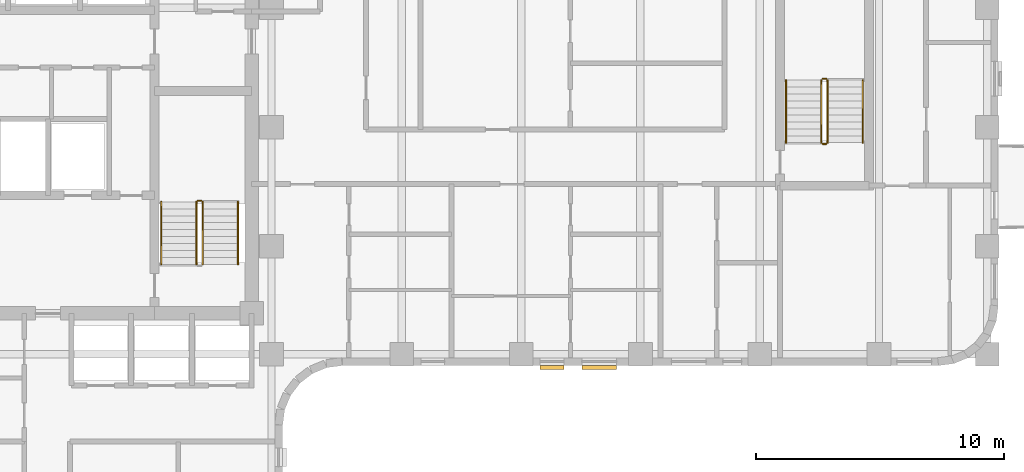
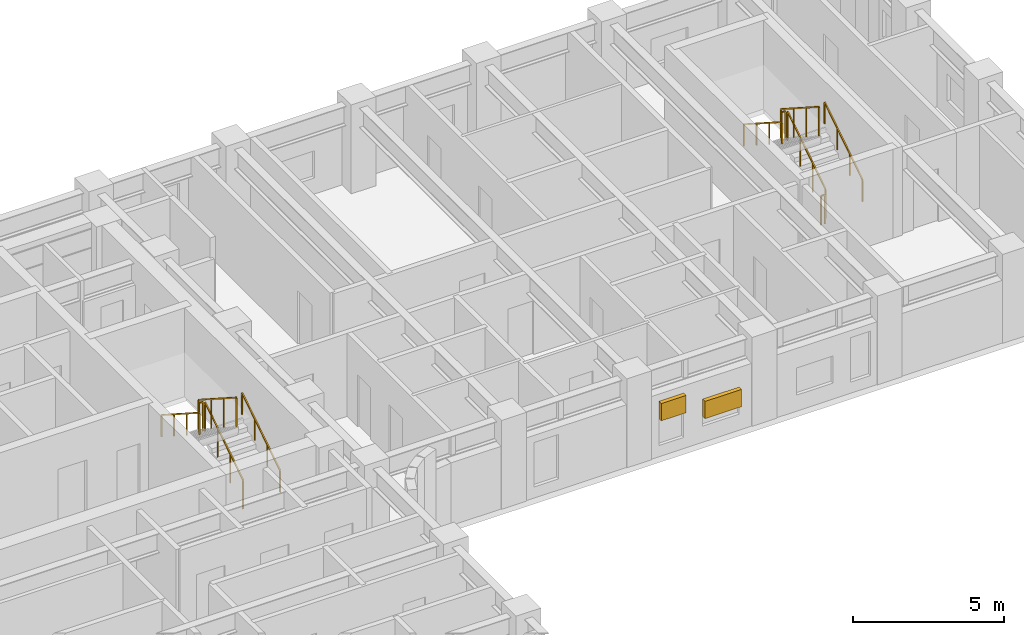
# One storey, part 9 of 10: 11 railings, 2 shading devices.
"""IFC4 building model written with IfcOpenShell, lengths in metres."""

import ifcopenshell
import ifcopenshell.guid

model = None  # the IFC model being written
_history = None  # IfcOwnerHistory: only IFC2X3 demands one
_inside = {}  # id of a spatial element -> (the spatial element, [elements in it])
_under = {}  # id of a project, library or spatial element -> (it, [spatial elements below it])
_declared = {}  # id of a project -> (the project, [libraries it declares])
_typed = {}  # id of a type object -> (the type object, [elements of that type])
_made_of = {}  # id of a material, layer set ... -> (it, [elements and type objects made of it])


def new_model(schema):
    """Start an empty IFC model of exactly this schema.

    Asked for "IFC4X3", IfcOpenShell would pick the latest addendum, in which some entities
    have other attributes; the version numbers below select the first issue.
    IFC2X3 requires an IfcOwnerHistory on every rooted entity: one is made here for all.
    """
    global model, _history
    if schema == "IFC4X3":
        model = ifcopenshell.file(schema_version=(4, 3, 0, 0))
    else:
        model = ifcopenshell.file(schema=schema)
    _inside.clear()
    _under.clear()
    _declared.clear()
    _typed.clear()
    _made_of.clear()
    _history = None
    if model.schema == "IFC2X3":
        org = make("IfcOrganization", Name="unknown")
        user = make(
            "IfcPersonAndOrganization",
            ThePerson=make("IfcPerson", FamilyName="unknown"),
            TheOrganization=org,
        )
        app = make(
            "IfcApplication",
            ApplicationDeveloper=org,
            Version="unknown",
            ApplicationFullName="unknown",
            ApplicationIdentifier="unknown",
        )
        _history = make(
            "IfcOwnerHistory",
            OwningUser=user,
            OwningApplication=app,
            ChangeAction="ADDED",
            CreationDate=0,
        )
    return model


def make(cls, **values):
    """One entity of the class cls with the attributes given. An attribute that is None is left unset."""
    return model.create_entity(
        cls, **{name: value for name, value in values.items() if value is not None}
    )


def rooted(cls, **values):
    """An entity with a GlobalId (a new one), such as an element, a storey or a relation."""
    return make(cls, GlobalId=ifcopenshell.guid.new(), OwnerHistory=_history, **values)


def si_unit(unit_type, name, prefix=None):
    """IfcSIUnit, for example si_unit("LENGTHUNIT", "METRE", prefix="MILLI")."""
    return make("IfcSIUnit", UnitType=unit_type, Prefix=prefix, Name=name)


def assignment(units):
    """IfcUnitAssignment: the units of a project."""
    return None if units is None else make("IfcUnitAssignment", Units=units)


def point(xyz):
    """IfcCartesianPoint."""
    return None if xyz is None else make("IfcCartesianPoint", Coordinates=xyz)


def direction(xyz):
    """IfcDirection."""
    return None if xyz is None else make("IfcDirection", DirectionRatios=xyz)


def frame(location, z_axis=None, x_axis=None):
    """IfcAxis2Placement3D, a coordinate frame: its origin and axes. An axis left out is left unset."""
    return make(
        "IfcAxis2Placement3D",
        Location=point(location),
        Axis=direction(z_axis),
        RefDirection=direction(x_axis),
    )


def frame_2d(location, x_axis=None):
    """IfcAxis2Placement2D, a coordinate frame in the plane: its origin and x axis."""
    return make(
        "IfcAxis2Placement2D", Location=point(location), RefDirection=direction(x_axis)
    )


def origin():
    """The frame at (0, 0, 0) with its axes left unset."""
    return frame((0.0, 0.0, 0.0))


def origin_2d():
    """The frame at (0, 0) in the plane with its x axis left unset."""
    return frame_2d((0.0, 0.0))


def place(relative_to, where):
    """IfcLocalPlacement: puts the frame where relative to a parent placement (None: the world)."""
    return make(
        "IfcLocalPlacement", PlacementRelTo=relative_to, RelativePlacement=where
    )


def context(
    kind, dimensions, precision=None, world=None, true_north=None, identifier=None
):
    """IfcGeometricRepresentationContext, for example the 3D "Model" context."""
    return make(
        "IfcGeometricRepresentationContext",
        ContextIdentifier=identifier,
        ContextType=kind,
        CoordinateSpaceDimension=dimensions,
        Precision=precision,
        WorldCoordinateSystem=world,
        TrueNorth=true_north,
    )


def subcontext(parent, identifier, kind, view, scale=None):
    """IfcGeometricRepresentationSubContext, for example "Body" below "Model"."""
    return make(
        "IfcGeometricRepresentationSubContext",
        ContextIdentifier=identifier,
        ContextType=kind,
        ParentContext=parent,
        TargetScale=scale,
        TargetView=view,
    )


def project(units=None, contexts=None):
    """IfcProject with its units and contexts."""
    return rooted(
        "IfcProject",
        Name="project",
        RepresentationContexts=contexts,
        UnitsInContext=assignment(units),
    )


def spatial(cls, under=None, at=None, **own):
    """A site, building, storey or space (cls), placed at a placement, below another one or the project."""
    s = rooted(cls, ObjectPlacement=at, **own)
    if under is not None:
        _under.setdefault(under.id(), (under, []))[1].append(s)
    return s


def profile(cls, at=None, kind="AREA", **sizes):
    """A parametric profile (cls). Its sizes go by their IFC names, for example OverallWidth=200.0."""
    return make(cls, ProfileType=kind, Position=at, **sizes)


def rectangle(**sizes):
    """IfcRectangleProfileDef."""
    return profile("IfcRectangleProfileDef", **sizes)


def extrude(swept, where, along, depth):
    """IfcExtrudedAreaSolid: the profile swept, set in the frame where, extruded along a direction by depth."""
    return make(
        "IfcExtrudedAreaSolid",
        SweptArea=swept,
        Position=where,
        ExtrudedDirection=direction(along),
        Depth=depth,
    )


def shape(context_of_items, identifier, shape_type, items):
    """IfcShapeRepresentation: the items that make up one representation, for example the "Body"."""
    return make(
        "IfcShapeRepresentation",
        ContextOfItems=context_of_items,
        RepresentationIdentifier=identifier,
        RepresentationType=shape_type,
        Items=items,
    )


def material(Name=None, Category=None):
    """IfcMaterial."""
    return make("IfcMaterial", Name=Name, Category=Category)


def made_of(thing, what):
    """Note that an element or type object is made of a material, layer set ...; save() writes the relation."""
    if what is not None:
        _made_of.setdefault(what.id(), (what, []))[1].append(thing)
    return thing


def type_object(cls, material=None, **own):
    """A type object (cls), such as IfcWallType, which elements share."""
    return made_of(rooted(cls, **own), material)


def element(
    cls,
    number,
    at=None,
    inside=None,
    cuts=None,
    type_object=None,
    material=None,
    context=None,
    identifier="Body",
    shape_type=None,
    held_by="IfcProductDefinitionShape",
    body=None,
    shapes=None,
    **own,
):
    """One element of the class cls, such as IfcWall. Its Tag is "e" and its number.

    at: its placement. inside: the storey or other place that contains it. cuts: it is an
    opening in that element (IfcRelVoidsElement). A single representation is given by context,
    identifier, shape_type and body (its items); several are given by shapes. held_by: the class
    of the entity that holds the representations. save() writes the other relations.
    """
    e = rooted(cls, Tag="e%d" % number, ObjectPlacement=at, **own)
    if body is not None:
        shapes = [shape(context, identifier, shape_type, body)]
    if shapes is not None:
        e.Representation = make(held_by, Representations=shapes)
    if inside is not None:
        _inside.setdefault(inside.id(), (inside, []))[1].append(e)
    if cuts is not None:
        rooted(
            "IfcRelVoidsElement", RelatingBuildingElement=cuts, RelatedOpeningElement=e
        )
    if type_object is not None:
        _typed.setdefault(type_object.id(), (type_object, []))[1].append(e)
    return made_of(e, material)


def aggregate(whole, parts):
    """IfcRelAggregates: a whole, such as a stair, and the parts it consists of."""
    return rooted("IfcRelAggregates", RelatingObject=whole, RelatedObjects=parts)


def save(model, path):
    """Write the relations noted so far, then the file.

    IfcRelAggregates (storeys below a building ...), IfcRelContainedInSpatialStructure (elements
    in a storey), IfcRelDefinesByType, IfcRelAssociatesMaterial and IfcRelDeclares: one each for
    every whole, place, type object, material and project.
    """
    for whole, parts in _under.values():
        aggregate(whole, parts)
    for where, things in _inside.values():
        rooted(
            "IfcRelContainedInSpatialStructure",
            RelatedElements=things,
            RelatingStructure=where,
        )
    for kind, things in _typed.values():
        rooted("IfcRelDefinesByType", RelatedObjects=things, RelatingType=kind)
    for what, things in _made_of.values():
        rooted("IfcRelAssociatesMaterial", RelatedObjects=things, RelatingMaterial=what)
    for by, libraries in _declared.values():
        rooted("IfcRelDeclares", RelatingContext=by, RelatedDefinitions=libraries)
    model.write(path)


model = new_model("IFC4")

# Units and contexts
model_context = context("Model", 3, precision=1e-05, world=origin(), true_north=direction((0.0, 1.0)))
body_context = subcontext(model_context, "Body", "Model", "MODEL_VIEW")
ifc_project = project(units=[si_unit("LENGTHUNIT", "METRE"), si_unit("AREAUNIT", "SQUARE_METRE"), si_unit("VOLUMEUNIT", "CUBIC_METRE"), si_unit("PLANEANGLEUNIT", "RADIAN"), si_unit("MASSUNIT", "GRAM", prefix="KILO")], contexts=[model_context])

# Site, building, storey
site_placement = place(None, origin())
site = spatial("IfcSite", under=ifc_project, at=site_placement, CompositionType="ELEMENT")
building_placement = place(site_placement, origin())
building = spatial("IfcBuilding", under=site, at=building_placement, Name="Orvandelia Arch Residences", CompositionType="ELEMENT")
storey_placement = place(building_placement, frame((0.0, 0.0, 114.39990234375)))
storey = spatial("IfcBuildingStorey", under=building, at=storey_placement, Name="L29", CompositionType="ELEMENT", Elevation=114.39990234375)

# Railings
ifc_material_1 = material(Name="Brushed Stainless Steel 304", Category="steel")
railing_type_1 = type_object("IfcRailingType", Name="RL-STAIR-GD1120", PredefinedType="GUARDRAIL", material=ifc_material_1)
railing_1_placement = place(storey_placement, frame((20.780029296875, 32.8701171875, 0.18017578125)))
element("IfcRailing", 1, at=railing_1_placement, inside=storey, type_object=railing_type_1, Name="L29 ST-2 stair guard 1", PredefinedType="GUARDRAIL", context=body_context, shape_type="SweptSolid", body=[
    extrude(rectangle(XDim=0.048095703125, YDim=0.048095703125, at=origin_2d()), frame((0.0, 0.0, 1.17578125), z_axis=(0.0, 0.841175827307, 0.540761710511), x_axis=(-1.0, 0.0, 0.0)), (0.0, 0.0, 1.0), 2.99560546875),
    extrude(rectangle(XDim=0.0419921875, YDim=0.0419921875, at=origin_2d()), origin(), (0.0, 0.0, 1.0), 1.15185546875),
    extrude(rectangle(XDim=0.0419921875, YDim=0.0419921875, at=origin_2d()), frame((0.0, 0.83984375, 0.5400390625)), (0.0, 0.0, 1.0), 1.15185546875),
    extrude(rectangle(XDim=0.0419921875, YDim=0.0419921875, at=origin_2d()), frame((0.0, 1.679931640625, 1.079833984375)), (0.0, 0.0, 1.0), 1.15185546875),
    extrude(rectangle(XDim=0.0419921875, YDim=0.0419921875, at=origin_2d()), frame((0.0, 2.519775390625, 1.619873046875)), (0.0, 0.0, 1.0), 1.15185546875),
])
railing_2_placement = place(storey_placement, frame((20.72998046875, 35.43994140625, 1.800048828125)))
element("IfcRailing", 2, at=railing_2_placement, inside=storey, type_object=railing_type_1, Name="L29 ST-2 stair guard 2", PredefinedType="GUARDRAIL", context=body_context, shape_type="SweptSolid", body=[
    extrude(rectangle(XDim=0.048095703125, YDim=0.048095703125, at=origin_2d()), frame((0.0, 0.0, 1.17578125), z_axis=(-1.0, 0.0, 0.0), x_axis=(0.0, -1.0, 0.0)), (0.0, 0.0, 1.0), 0.14990234375),
    extrude(rectangle(XDim=0.0419921875, YDim=0.0419921875, at=origin_2d()), origin(), (0.0, 0.0, 1.0), 1.15185546875),
    extrude(rectangle(XDim=0.0419921875, YDim=0.0419921875, at=origin_2d()), frame((-0.14990234375, 0.0, 0.0)), (0.0, 0.0, 1.0), 1.15185546875),
])
railing_3_placement = place(storey_placement, frame((20.530029296875, 35.389892578125, 1.97998046875)))
element("IfcRailing", 3, at=railing_3_placement, inside=storey, type_object=railing_type_1, Name="L29 ST-2 stair guard 3", PredefinedType="GUARDRAIL", context=body_context, shape_type="SweptSolid", body=[
    extrude(rectangle(XDim=0.048095703125, YDim=0.048095703125, at=origin_2d()), frame((0.0, 0.0, 1.17578125), z_axis=(0.0, -0.841138753965, 0.540819375188), x_axis=(1.0, 0.0, 0.0)), (0.0, 0.0, 1.0), 2.99560546875),
    extrude(rectangle(XDim=0.0419921875, YDim=0.0419921875, at=origin_2d()), origin(), (0.0, 0.0, 1.0), 1.15185546875),
    extrude(rectangle(XDim=0.0419921875, YDim=0.0419921875, at=origin_2d()), frame((0.0, -0.83984375, 0.5400390625)), (0.0, 0.0, 1.0), 1.15185546875),
    extrude(rectangle(XDim=0.0419921875, YDim=0.0419921875, at=origin_2d()), frame((0.0, -1.679931640625, 1.080078125)), (0.0, 0.0, 1.0), 1.15185546875),
    extrude(rectangle(XDim=0.0419921875, YDim=0.0419921875, at=origin_2d()), frame((0.0, -2.519775390625, 1.6201171875)), (0.0, 0.0, 1.0), 1.15185546875),
])
railing_4_placement = place(storey_placement, frame((45.929931640625, 37.77001953125, 0.18017578125)))
element("IfcRailing", 4, at=railing_4_placement, inside=storey, type_object=railing_type_1, Name="L29 ST-3 stair guard 1", PredefinedType="GUARDRAIL", context=body_context, shape_type="SweptSolid", body=[
    extrude(rectangle(XDim=0.048095703125, YDim=0.048095703125, at=origin_2d()), frame((0.0, 0.0, 1.17578125), z_axis=(0.0, 0.841199657755, 0.540724639528), x_axis=(-1.0, 0.0, 0.0)), (0.0, 0.0, 1.0), 2.995849609375),
    extrude(rectangle(XDim=0.0419921875, YDim=0.0419921875, at=origin_2d()), origin(), (0.0, 0.0, 1.0), 1.15185546875),
    extrude(rectangle(XDim=0.0419921875, YDim=0.0419921875, at=origin_2d()), frame((0.0, 0.840087890625, 0.5400390625)), (0.0, 0.0, 1.0), 1.15185546875),
    extrude(rectangle(XDim=0.0419921875, YDim=0.0419921875, at=origin_2d()), frame((0.0, 1.679931640625, 1.079833984375)), (0.0, 0.0, 1.0), 1.15185546875),
    extrude(rectangle(XDim=0.0419921875, YDim=0.0419921875, at=origin_2d()), frame((0.0, 2.52001953125, 1.619873046875)), (0.0, 0.0, 1.0), 1.15185546875),
])
railing_5_placement = place(storey_placement, frame((45.8798828125, 40.340087890625, 1.800048828125)))
element("IfcRailing", 5, at=railing_5_placement, inside=storey, type_object=railing_type_1, Name="L29 ST-3 stair guard 2", PredefinedType="GUARDRAIL", context=body_context, shape_type="SweptSolid", body=[
    extrude(rectangle(XDim=0.048095703125, YDim=0.048095703125, at=origin_2d()), frame((0.0, 0.0, 1.17578125), z_axis=(-1.0, 0.0, 0.0), x_axis=(0.0, -1.0, 0.0)), (0.0, 0.0, 1.0), 0.14990234375),
    extrude(rectangle(XDim=0.0419921875, YDim=0.0419921875, at=origin_2d()), origin(), (0.0, 0.0, 1.0), 1.15185546875),
    extrude(rectangle(XDim=0.0419921875, YDim=0.0419921875, at=origin_2d()), frame((-0.14990234375, 0.0, 0.0)), (0.0, 0.0, 1.0), 1.15185546875),
])
railing_6_placement = place(storey_placement, frame((45.679931640625, 40.2900390625, 1.97998046875)))
element("IfcRailing", 6, at=railing_6_placement, inside=storey, type_object=railing_type_1, Name="L29 ST-3 stair guard 3", PredefinedType="GUARDRAIL", context=body_context, shape_type="SweptSolid", body=[
    extrude(rectangle(XDim=0.048095703125, YDim=0.048095703125, at=origin_2d()), frame((0.0, 0.0, 1.17578125), z_axis=(0.0, -0.841162588446, 0.540782303519), x_axis=(1.0, 0.0, 0.0)), (0.0, 0.0, 1.0), 2.995849609375),
    extrude(rectangle(XDim=0.0419921875, YDim=0.0419921875, at=origin_2d()), origin(), (0.0, 0.0, 1.0), 1.15185546875),
    extrude(rectangle(XDim=0.0419921875, YDim=0.0419921875, at=origin_2d()), frame((0.0, -0.840087890625, 0.5400390625)), (0.0, 0.0, 1.0), 1.15185546875),
    extrude(rectangle(XDim=0.0419921875, YDim=0.0419921875, at=origin_2d()), frame((0.0, -1.679931640625, 1.080078125)), (0.0, 0.0, 1.0), 1.15185546875),
    extrude(rectangle(XDim=0.0419921875, YDim=0.0419921875, at=origin_2d()), frame((0.0, -2.52001953125, 1.6201171875)), (0.0, 0.0, 1.0), 1.15185546875),
])
railing_7_placement = place(storey_placement, frame((45.8798828125, 37.719970703125, 0.0)))
element("IfcRailing", 7, at=railing_7_placement, inside=storey, type_object=railing_type_1, Name="L29 ST-3 stair guard 4", PredefinedType="GUARDRAIL", context=body_context, shape_type="SweptSolid", body=[
    extrude(rectangle(XDim=0.048095703125, YDim=0.048095703125, at=origin_2d()), frame((0.0, 0.0, 1.17578125), z_axis=(-1.0, 0.0, 0.0), x_axis=(0.0, -1.0, 0.0)), (0.0, 0.0, 1.0), 0.14990234375),
    extrude(rectangle(XDim=0.0419921875, YDim=0.0419921875, at=origin_2d()), origin(), (0.0, 0.0, 1.0), 1.15185546875),
    extrude(rectangle(XDim=0.0419921875, YDim=0.0419921875, at=origin_2d()), frame((-0.14990234375, 0.0, 0.0)), (0.0, 0.0, 1.0), 1.15185546875),
])
railing_type_2 = type_object("IfcRailingType", Name="RL-STAIR-HR920", PredefinedType="HANDRAIL", material=ifc_material_1)
railing_8_placement = place(storey_placement, frame((22.199951171875, 32.8701171875, 0.360107421875)))
element("IfcRailing", 8, at=railing_8_placement, inside=storey, type_object=railing_type_2, Name="L29 ST-2 stair handrail 1", PredefinedType="HANDRAIL", context=body_context, shape_type="SweptSolid", body=[
    extrude(rectangle(XDim=0.048095703125, YDim=0.048095703125, at=origin_2d()), frame((0.0, 0.0, 0.8759765625), z_axis=(0.0, 0.841175827307, 0.540761710511), x_axis=(-1.0, 0.0, 0.0)), (0.0, 0.0, 1.0), 2.99560546875),
    extrude(rectangle(XDim=0.0419921875, YDim=0.0419921875, at=origin_2d()), origin(), (0.0, 0.0, 1.0), 0.851806640625),
    extrude(rectangle(XDim=0.0419921875, YDim=0.0419921875, at=origin_2d()), frame((0.0, 0.83984375, 0.5400390625)), (0.0, 0.0, 1.0), 0.851806640625),
    extrude(rectangle(XDim=0.0419921875, YDim=0.0419921875, at=origin_2d()), frame((0.0, 1.679931640625, 1.079833984375)), (0.0, 0.0, 1.0), 0.851806640625),
    extrude(rectangle(XDim=0.0419921875, YDim=0.0419921875, at=origin_2d()), frame((0.0, 2.519775390625, 1.619873046875)), (0.0, 0.0, 1.0), 0.851806640625),
])
railing_9_placement = place(storey_placement, frame((19.110107421875, 35.389892578125, 2.16015625)))
element("IfcRailing", 9, at=railing_9_placement, inside=storey, type_object=railing_type_2, Name="L29 ST-2 stair handrail 2", PredefinedType="HANDRAIL", context=body_context, shape_type="SweptSolid", body=[
    extrude(rectangle(XDim=0.048095703125, YDim=0.048095703125, at=origin_2d()), frame((0.0, 0.0, 0.8759765625), z_axis=(0.0, -0.841175827307, 0.540761710511), x_axis=(1.0, 0.0, 0.0)), (0.0, 0.0, 1.0), 2.99560546875),
    extrude(rectangle(XDim=0.0419921875, YDim=0.0419921875, at=origin_2d()), origin(), (0.0, 0.0, 1.0), 0.851806640625),
    extrude(rectangle(XDim=0.0419921875, YDim=0.0419921875, at=origin_2d()), frame((0.0, -0.83984375, 0.5400390625)), (0.0, 0.0, 1.0), 0.851806640625),
    extrude(rectangle(XDim=0.0419921875, YDim=0.0419921875, at=origin_2d()), frame((0.0, -1.679931640625, 1.079833984375)), (0.0, 0.0, 1.0), 0.851806640625),
    extrude(rectangle(XDim=0.0419921875, YDim=0.0419921875, at=origin_2d()), frame((0.0, -2.519775390625, 1.619873046875)), (0.0, 0.0, 1.0), 0.851806640625),
])
railing_10_placement = place(storey_placement, frame((47.35009765625, 37.77001953125, 0.360107421875)))
element("IfcRailing", 10, at=railing_10_placement, inside=storey, type_object=railing_type_2, Name="L29 ST-3 stair handrail 1", PredefinedType="HANDRAIL", context=body_context, shape_type="SweptSolid", body=[
    extrude(rectangle(XDim=0.048095703125, YDim=0.048095703125, at=origin_2d()), frame((0.0, 0.0, 0.8759765625), z_axis=(0.0, 0.841199657755, 0.540724639528), x_axis=(-1.0, 0.0, 0.0)), (0.0, 0.0, 1.0), 2.995849609375),
    extrude(rectangle(XDim=0.0419921875, YDim=0.0419921875, at=origin_2d()), origin(), (0.0, 0.0, 1.0), 0.851806640625),
    extrude(rectangle(XDim=0.0419921875, YDim=0.0419921875, at=origin_2d()), frame((0.0, 0.840087890625, 0.5400390625)), (0.0, 0.0, 1.0), 0.851806640625),
    extrude(rectangle(XDim=0.0419921875, YDim=0.0419921875, at=origin_2d()), frame((0.0, 1.679931640625, 1.079833984375)), (0.0, 0.0, 1.0), 0.851806640625),
    extrude(rectangle(XDim=0.0419921875, YDim=0.0419921875, at=origin_2d()), frame((0.0, 2.52001953125, 1.619873046875)), (0.0, 0.0, 1.0), 0.851806640625),
])
railing_11_placement = place(storey_placement, frame((44.260009765625, 40.2900390625, 2.16015625)))
element("IfcRailing", 11, at=railing_11_placement, inside=storey, type_object=railing_type_2, Name="L29 ST-3 stair handrail 2", PredefinedType="HANDRAIL", context=body_context, shape_type="SweptSolid", body=[
    extrude(rectangle(XDim=0.048095703125, YDim=0.048095703125, at=origin_2d()), frame((0.0, 0.0, 0.8759765625), z_axis=(0.0, -0.841199657755, 0.540724639528), x_axis=(1.0, 0.0, 0.0)), (0.0, 0.0, 1.0), 2.995849609375),
    extrude(rectangle(XDim=0.0419921875, YDim=0.0419921875, at=origin_2d()), origin(), (0.0, 0.0, 1.0), 0.851806640625),
    extrude(rectangle(XDim=0.0419921875, YDim=0.0419921875, at=origin_2d()), frame((0.0, -0.840087890625, 0.5400390625)), (0.0, 0.0, 1.0), 0.851806640625),
    extrude(rectangle(XDim=0.0419921875, YDim=0.0419921875, at=origin_2d()), frame((0.0, -1.679931640625, 1.079833984375)), (0.0, 0.0, 1.0), 0.851806640625),
    extrude(rectangle(XDim=0.0419921875, YDim=0.0419921875, at=origin_2d()), frame((0.0, -2.52001953125, 1.619873046875)), (0.0, 0.0, 1.0), 0.851806640625),
])

# Shading devices
ifc_material_2 = material(Name="Anodised Champagne-Bronze Extruded Aluminium", Category="aluminium")
shading_device_type = type_object("IfcShadingDeviceType", Name="SHD-JALOUSIE-SCREEN", PredefinedType="JALOUSIE", material=ifc_material_2)
shading_device_1_placement = place(storey_placement, frame((36.7451171875, 28.719970703125, 1.05029296875), z_axis=(0.0, 0.0, 1.0), x_axis=(-1.0, 0.0, 0.0)))
element("IfcShadingDevice", 12, at=shading_device_1_placement, inside=storey, type_object=shading_device_type, Name="Bronze Jalousie Sun-Shade L29-004", PredefinedType="JALOUSIE", context=body_context, shape_type="SweptSolid", body=[
    extrude(rectangle(XDim=1.39990234375, YDim=0.159912109375, at=origin_2d()), origin(), (0.0, 0.0, 1.0), 0.699951171875),
])
shading_device_2_placement = place(storey_placement, frame((34.840087890625, 28.719970703125, 1.55029296875), z_axis=(0.0, 0.0, 1.0), x_axis=(-1.0, 0.0, 0.0)))
element("IfcShadingDevice", 13, at=shading_device_2_placement, inside=storey, type_object=shading_device_type, Name="Bronze Jalousie Sun-Shade L29-005", PredefinedType="JALOUSIE", context=body_context, shape_type="SweptSolid", body=[
    extrude(rectangle(XDim=0.949951171875, YDim=0.159912109375, at=origin_2d()), origin(), (0.0, 0.0, 1.0), 0.699951171875),
])

save(model, "model.ifc")
